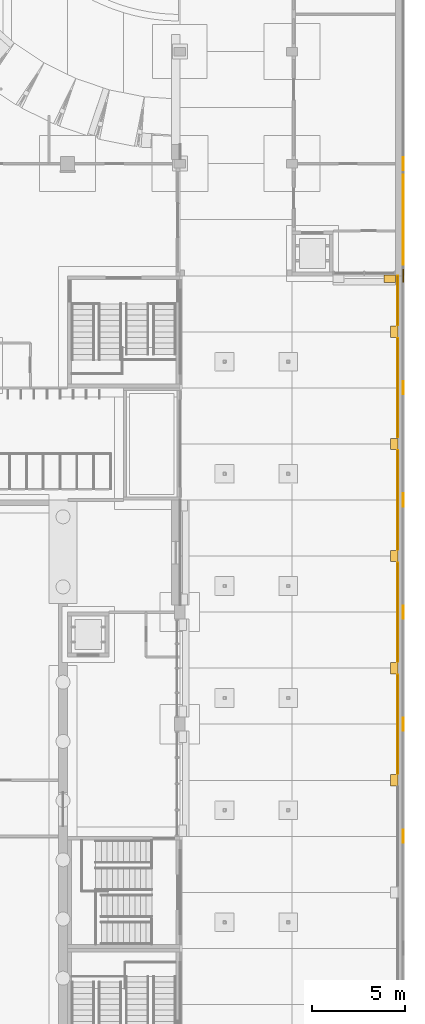
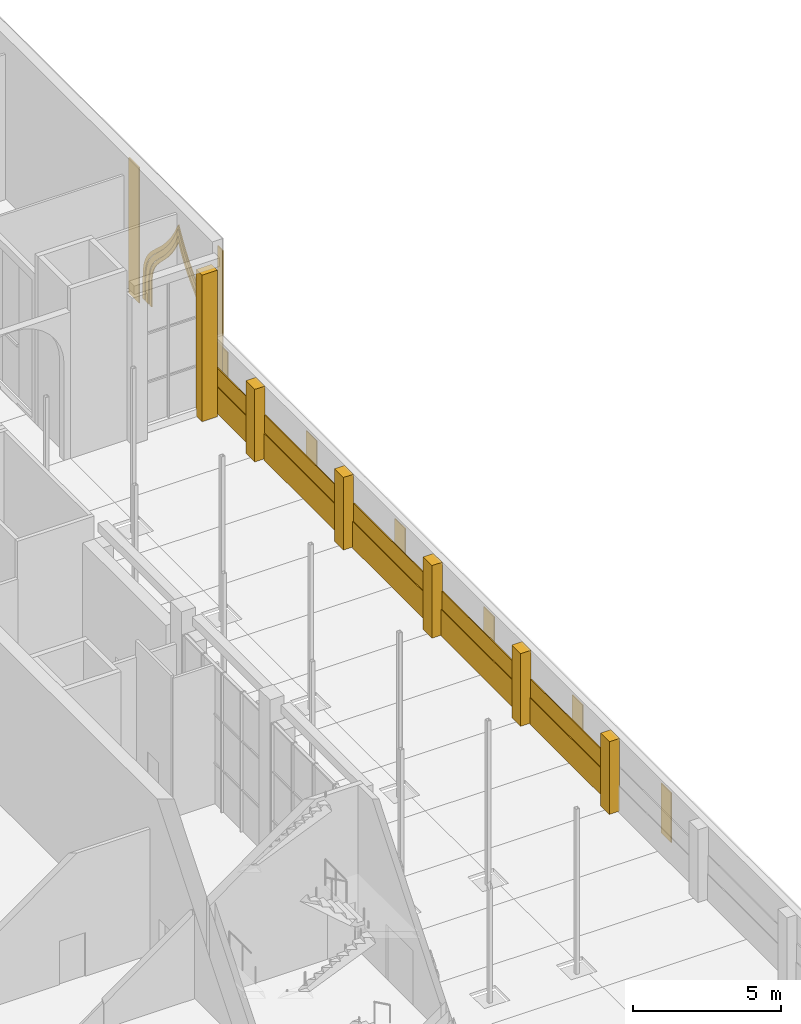
# One storey, part 92 of 95: 27 coverings.
"""IFC4 building model written with IfcOpenShell, lengths in metres."""

from ifc_helpers import new_model, si_unit, direction, frame, origin, origin_2d, place, context, subcontext, project, spatial, polyline, rectangle, outline, extrude, material, layer, layer_set, type_object, element, save


model = new_model("IFC4")

# Units and contexts
model_context = context("Model", 3, precision=1e-05, world=origin(), true_north=direction((0.0, 1.0)))
body_context = subcontext(model_context, "Body", "Model", "MODEL_VIEW")
ifc_project = project(units=[si_unit("LENGTHUNIT", "METRE"), si_unit("AREAUNIT", "SQUARE_METRE"), si_unit("VOLUMEUNIT", "CUBIC_METRE"), si_unit("PLANEANGLEUNIT", "RADIAN"), si_unit("MASSUNIT", "GRAM", prefix="KILO")], contexts=[model_context])

# Site, building, storey
site_placement = place(None, origin())
site = spatial("IfcSite", under=ifc_project, at=site_placement, CompositionType="ELEMENT")
building_placement = place(site_placement, origin())
building = spatial("IfcBuilding", under=site, at=building_placement, Name="Saffron Lane Theatres", CompositionType="ELEMENT")
storey_placement = place(building_placement, origin())
storey = spatial("IfcBuildingStorey", under=building, at=storey_placement, Name="L00", CompositionType="ELEMENT", Elevation=0.0)

# Coverings
ifc_material_1 = material(Name="Masonry sandstone", Category="masonry")
ifc_layer_1 = layer(ifc_material_1, 0.0400390625)
ifc_layer_set_1 = layer_set([ifc_layer_1], Name="Masonry sandstone")
covering_type_1 = type_object("IfcCoveringType", Name="EX-BANDING COURSE SANDSTONE 40", PredefinedType="CLADDING", material=ifc_layer_set_1)
for number, where, z_axis, x_axis, name in (
    (1, (65.669921875, 78.0, 1.10009765625), (0.0, 0.0, 1.0), (0.0, 1.0, 0.0), "Banding course L00"),
    (2, (65.669921875, 84.0, 1.10009765625), (0.0, 0.0, 1.0), (0.0, 1.0, 0.0), "Banding course L00"),
    (3, (65.669921875, 90.0, 1.10009765625), (0.0, 0.0, 1.0), (0.0, 1.0, 0.0), "Banding course L00"),
    (4, (65.669921875, 96.0, 1.10009765625), (0.0, 0.0, 1.0), (0.0, 1.0, 0.0), "Banding course L00"),
):
    element("IfcCovering", number, at=place(storey_placement, frame(where, z_axis=z_axis, x_axis=x_axis)), inside=storey, type_object=covering_type_1, Name=name, PredefinedType="CLADDING", context=body_context, shape_type="SweptSolid", body=[
        extrude(rectangle(XDim=5.300048828125, YDim=0.0400390625, at=origin_2d()), origin(), (0.0, 0.0, 1.0), 0.75),
    ])
covering_1_placement = place(storey_placement, frame((65.669921875, 100.675048828125, 1.10009765625), z_axis=(0.0, 0.0, 1.0), x_axis=(0.0, 1.0, 0.0)))
element("IfcCovering", 5, at=covering_1_placement, inside=storey, type_object=covering_type_1, Name="Banding course L00", PredefinedType="CLADDING", context=body_context, shape_type="SweptSolid", body=[
    extrude(rectangle(XDim=2.64990234375, YDim=0.0400390625, at=origin_2d()), origin(), (0.0, 0.0, 1.0), 0.75),
])
ifc_material_2 = material(Name="Masonry sandstone", Category="masonry")
ifc_layer_2 = layer(ifc_material_2, 0.39990234375)
ifc_layer_set_2 = layer_set([ifc_layer_2], Name="Masonry sandstone")
covering_type_2 = type_object("IfcCoveringType", Name="EX-BOUNDARY PILASTER SANDSTONE 400", PredefinedType="CLADDING", material=ifc_layer_set_2)
for number, where, z_axis, x_axis, name in (
    (6, (65.489990234375, 75.0, 0.0), (0.0, 0.0, 1.0), (0.0, 1.0, 0.0), "Boundary wall pilaster L00"),
    (7, (65.489990234375, 81.0, 0.0), (0.0, 0.0, 1.0), (0.0, 1.0, 0.0), "Boundary wall pilaster L00"),
    (8, (65.489990234375, 87.0, 0.0), (0.0, 0.0, 1.0), (0.0, 1.0, 0.0), "Boundary wall pilaster L00"),
    (9, (65.489990234375, 93.0, 0.0), (0.0, 0.0, 1.0), (0.0, 1.0, 0.0), "Boundary wall pilaster L00"),
    (10, (65.489990234375, 99.0, 0.0), (0.0, 0.0, 1.0), (0.0, 1.0, 0.0), "Boundary wall pilaster L00"),
):
    element("IfcCovering", number, at=place(storey_placement, frame(where, z_axis=z_axis, x_axis=x_axis)), inside=storey, type_object=covering_type_2, Name=name, PredefinedType="CLADDING", context=body_context, shape_type="SweptSolid", body=[
        extrude(rectangle(XDim=0.60009765625, YDim=0.39990234375, at=origin_2d()), origin(), (0.0, 0.0, 1.0), 3.0),
    ])
ifc_material_3 = material(Name="Face brick cladding, pale buff", Category="masonry")
ifc_layer_3 = layer(ifc_material_3, 0.0400390625)
ifc_layer_set_3 = layer_set([ifc_layer_3], Name="Face brick cladding, pale buff")
covering_type_3 = type_object("IfcCoveringType", Name="EX-FACE BRICK SKIN PALE BUFF 40", PredefinedType="CLADDING", material=ifc_layer_set_3)
covering_2_placement = place(storey_placement, frame((65.9599609375, 102.175048828125, 0.89990234375), z_axis=(0.0, 0.0, 1.0), x_axis=(0.0, 1.0, 0.0)))
element("IfcCovering", 11, at=covering_2_placement, inside=storey, type_object=covering_type_3, Name="Face brick cladding, pale buff L00", PredefinedType="CLADDING", context=body_context, shape_type="SweptSolid", body=[
    extrude(rectangle(XDim=0.35009765625, YDim=0.0400390625, at=origin_2d()), origin(), (0.0, 0.0, 1.0), 5.60009765625),
])
covering_3_placement = place(storey_placement, frame((65.9599609375, 108.0, 0.89990234375), z_axis=(0.0, 0.0, 1.0), x_axis=(0.0, 1.0, 0.0)))
element("IfcCovering", 12, at=covering_3_placement, inside=storey, type_object=covering_type_3, Name="Face brick cladding, pale buff L00", PredefinedType="CLADDING", context=body_context, shape_type="SweptSolid", body=[
    extrude(rectangle(XDim=0.699951171875, YDim=0.0400390625, at=origin_2d()), origin(), (0.0, 0.0, 1.0), 5.60009765625),
])
for number, where, z_axis, x_axis, name in (
    (13, (65.9599609375, 72.0, 0.4501953125), (0.0, 0.0, 1.0), (0.0, 1.0, 0.0), "Face brick cladding, pale buff L00"),
    (14, (65.9599609375, 78.0, 0.4501953125), (0.0, 0.0, 1.0), (0.0, 1.0, 0.0), "Face brick cladding, pale buff L00"),
    (15, (65.9599609375, 84.0, 0.4501953125), (0.0, 0.0, 1.0), (0.0, 1.0, 0.0), "Face brick cladding, pale buff L00"),
    (16, (65.9599609375, 90.0, 0.4501953125), (0.0, 0.0, 1.0), (0.0, 1.0, 0.0), "Face brick cladding, pale buff L00"),
    (17, (65.9599609375, 96.0, 0.4501953125), (0.0, 0.0, 1.0), (0.0, 1.0, 0.0), "Face brick cladding, pale buff L00"),
):
    element("IfcCovering", number, at=place(storey_placement, frame(where, z_axis=z_axis, x_axis=x_axis)), inside=storey, type_object=covering_type_3, Name=name, PredefinedType="CLADDING", context=body_context, shape_type="SweptSolid", body=[
        extrude(rectangle(XDim=0.699951171875, YDim=0.0400390625, at=origin_2d()), origin(), (0.0, 0.0, 1.0), 2.050048828125),
    ])
covering_4_placement = place(storey_placement, frame((65.9599609375, 101.824951171875, 0.4501953125), z_axis=(0.0, 0.0, 1.0), x_axis=(0.0, 1.0, 0.0)))
element("IfcCovering", 18, at=covering_4_placement, inside=storey, type_object=covering_type_3, Name="Face brick cladding, pale buff L00", PredefinedType="CLADDING", context=body_context, shape_type="SweptSolid", body=[
    extrude(rectangle(XDim=0.35009765625, YDim=0.0400390625, at=origin_2d()), origin(), (0.0, 0.0, 1.0), 2.050048828125),
])
ifc_material_4 = material(Name="Face brick cladding, pale buff", Category="masonry")
ifc_layer_4 = layer(ifc_material_4, 0.0400390625)
ifc_layer_set_4 = layer_set([ifc_layer_4], Name="Face brick cladding, pale buff")
covering_type_4 = type_object("IfcCoveringType", Name="EX-NICHE FRAME RING FACE BRICK PALE BUFF", PredefinedType="CLADDING", material=ifc_layer_set_4)
covering_5_placement = place(storey_placement, frame((65.93994140625, 103.06005859375, 2.15087890625), z_axis=(-1.0, 0.0, 0.0), x_axis=(0.0, 0.049137358924, 0.998792030384)))
element("IfcCovering", 19, at=covering_5_placement, inside=storey, type_object=covering_type_4, Name="Court wall niche ring", PredefinedType="CLADDING", context=body_context, shape_type="SweptSolid", body=[
    extrude(outline(polyline([(0.0, 0.0), (0.2434581525511307, 1.734723475976807e-18), (0.4610250809328312, 0.025228482865775993), (0.6554949729909108, 0.07285918867513211), (0.831185072962029, 0.14121310750547486), (0.9913772601130814, 0.227439986583571), (1.1415840143824045, 0.32931314243814785), (1.285586902883498, 0.4442021751554779), (1.4289223984057362, 0.5703680926853739), (1.57562791019868, 0.7054123443991328), (1.7306682446519874, 0.8459130111238047), (1.900199526656824, 0.992789410774137), (2.088650885479687, 1.141668234186046), (2.2994481574936954, 1.292625377112813), (2.53905521262832, 1.4428984789600046), (2.8117892951202217, 1.5908085298050278), (3.2277655948053288, 1.7834919337608668), (2.832711061224793, 2.0160754489918227), (2.575812260417544, 2.190041736063411), (2.3521124655206838, 2.363108046396087), (2.1571504751913277, 2.5340272413859313), (1.9842224909896318, 2.700684767416518), (1.8299266693935141, 2.8634924201556524), (1.6894260026688424, 3.01853275460896), (1.5566843301796374, 3.1673249099671215), (1.4264249384727563, 3.3069508169289725), (1.2943944826393017, 3.4354198033334438), (1.154912532783675, 3.5515447127042084), (1.004005578984078, 3.6540544135863064), (0.8358252413876509, 3.738347909555811), (0.6470176621743866, 3.805812379122698), (0.43292969719310215, 3.851299152314359), (0.19064719434280172, 3.875196031947562), (-0.7091434775604517, 3.9194628421114768), (-0.7150337224901218, 3.7997345982349193), (0.18183080088661707, 3.7556117451772284), (0.4141156296046592, 3.732206718990291), (0.6141445183530868, 3.689122658452513), (0.788377419861202, 3.628486113605838), (0.9426666311820339, 3.5500091702378174), (1.0822528764921697, 3.4558783605179877), (1.213987828537848, 3.3462454759529123), (1.3401620701181043, 3.2229533143972655), (1.4676512668302135, 3.0866413587786963), (1.6004409250214928, 2.938824586262706), (1.7427963860263584, 2.781737514720906), (1.89894700190267, 2.6168831248932793), (2.075816423949777, 2.4458762825496456), (2.2764387685238634, 2.2707676419786673), (2.505982781248404, 2.0922806610866234), (2.7685419363003834, 1.914124928433901), (2.970020678761497, 1.7961721555341075), (2.7579370961418737, 1.698565320313989), (2.4791587737886442, 1.5470416523127277), (2.2332516366566293, 1.392923084024274), (2.0163621390792184, 1.2373769410990973), (1.8235614639433089, 1.0845566798417767), (1.6519834448499797, 0.9358254859112508), (1.49489637330818, 0.7934700249063853), (1.3482388472173108, 0.659401156034798), (1.20798545375333, 0.5362612756357352), (1.0703186365261823, 0.4259492464912962), (0.9284587013427412, 0.3297763513581751), (0.7803070082122705, 0.24980132375038333), (0.6190598700906065, 0.1868477550035296), (0.4397164913115353, 0.14360602715893486), (0.2364245748220277, 0.12036405442904742), (0.0029640964031553557, 0.11987220098278169), (-0.8939004269735834, 0.16399505404047265), (-0.8997906719032535, 0.04426681016391508), (0.0, 0.0)])), origin(), (0.0, 0.0, -1.0), 0.0400390625),
])
covering_6_placement = place(storey_placement, frame((65.93994140625, 102.800048828125, 2.153076171875), z_axis=(-1.0, 0.0, 0.0), x_axis=(0.0, 0.052850824381, 0.998602418564)))
element("IfcCovering", 20, at=covering_6_placement, inside=storey, type_object=covering_type_4, Name="Court wall niche ring", PredefinedType="CLADDING", context=body_context, shape_type="SweptSolid", body=[
    extrude(outline(polyline([(0.0, 0.0), (0.2633074467244505, 0.0), (0.5011775819661587, 0.027505871452212175), (0.7152524864888075, 0.08120829603058993), (0.9086112315010562, 0.15923293837212052), (1.0849739652342758, 0.25796015808373945), (1.24951072939811, 0.37344909715401087), (1.4064937862275997, 0.5032733062162519), (1.5611318865322767, 0.6442233255148111), (1.7204048922183166, 0.7942183711539379), (1.8878923763648647, 0.9516021011226223), (2.0695861001704214, 1.1141015442397035), (2.2717345272853784, 1.2796746257093192), (2.4978785216889916, 1.4459336052646752), (2.752894071753157, 1.6126204222398495), (3.0451722237624352, 1.7766016768649358), (3.545308055566688, 2.0153953976478385), (3.073236321181458, 2.3068654123085715), (2.7998353068843773, 2.499562707087641), (2.5638388278986666, 2.692236233121165), (2.35650745604077, 2.8814368058769912), (2.1729652029387934, 3.067422486021041), (2.009438950014148, 3.2481926242854025), (1.8594995911502994, 3.4223761036056124), (1.7169489166160081, 3.5883451044653136), (1.5780525169325759, 3.74483037585238), (1.4356498877276818, 3.8904995098022344), (1.2842226053926875, 4.022710780024254), (1.1192661530932222, 4.139502246350416), (0.9352233981207594, 4.237500784234314), (0.728012907311637, 4.313499650348356), (0.49437496699105044, 4.365959988195231), (0.2325384660623556, 4.393753121915035), (-0.669275583319717, 4.441481442077317), (-0.6798431675892249, 4.241809718248197), (0.21587589632797843, 4.194403973918317), (0.4619170471811973, 4.168424735037138), (0.6716252935936389, 4.121142588184094), (0.8534188461304864, 4.0545568244130665), (1.014149894578986, 3.968793757628952), (1.1607222408595677, 3.8649548994110297), (1.297666207873195, 3.7454897887645124), (1.4317178581074486, 3.608330544826945), (1.5667277283406915, 3.456940613377808), (1.7073925226927051, 3.292293833877449), (1.8601542503133226, 3.116005122808928), (2.0275541296548605, 2.929895845188042), (2.2176001906450886, 2.737453894646832), (2.432615658384322, 2.5410011380715813), (2.6794527226598053, 2.340663889367188), (2.9621799136019056, 2.1394050924426464), (3.127923450932433, 2.0374853906507657), (2.9523478022302756, 1.9536299354734281), (2.6499563885449153, 1.7833384184595322), (2.3833518772598032, 1.6101749578767302), (2.1488012171102713, 1.4375153946994919), (1.9395038304422583, 1.2662086126972976), (1.7533945528213721, 1.09880873335576), (1.5829298635185025, 0.9406046421122496), (1.4256201562145168, 0.7907501716253487), (1.275384706691873, 0.6544567891326514), (1.1276558411637512, 0.5331886493597573), (0.9788152774511176, 0.42787069606189243), (0.8221011469997994, 0.3400832112643215), (0.6532153815081632, 0.2717650454965378), (0.4654090154553319, 0.22474028020240072), (0.25188147118724413, 0.1998577991513908), (0.004472598804638406, 0.19999429966152327), (-0.8912464651125649, 0.2474000439914031), (-0.9018140493820727, 0.047728320162282394), (0.0, 0.0)])), origin(), (0.0, 0.0, -1.0), 0.0400390625),
])
covering_7_placement = place(storey_placement, frame((65.93994140625, 102.60009765625, 2.152099609375), z_axis=(-1.0, 0.0, 0.0), x_axis=(0.0, 0.053339022878, 0.998576461088)))
element("IfcCovering", 21, at=covering_7_placement, inside=storey, type_object=covering_type_4, Name="Court wall niche ring", PredefinedType="CLADDING", context=body_context, shape_type="SweptSolid", body=[
    extrude(outline(polyline([(0.0, 0.0), (0.279206054433033, -1.734723475976807e-18), (0.5302189974084848, 0.030600087807743755), (0.7546412027165392, 0.08975876321599356), (0.957718918144801, 0.17499539960045762), (1.143645085821301, 0.28241870073845177), (1.3166126478740696, 0.4081373704072918), (1.483434788357691, 0.5515429932989544), (1.6489446730874813, 0.7069986549543668), (1.820160212532198, 0.8731515385991627), (1.9996980194744525, 1.048639434380536), (2.1966399198910627, 1.229554394709478), (2.4138853863131065, 1.4152525667547606), (2.6580522694594353, 1.6014686389885575), (2.935479189444375, 1.7878640336289293), (3.2496146869296125, 1.9703427280390193), (3.720787085433957, 2.204577498130685), (3.2772478428247567, 2.487671646600571), (2.9843385678225935, 2.7025756747424743), (2.728346225878845, 2.9174636919552195), (2.5054576541051206, 3.1296055145986967), (2.3091779657185065, 3.336414203479002), (2.132628865552507, 3.537279208497558), (1.972806703296986, 3.73089403783503), (1.8202650307484223, 3.91434043280346), (1.6723091017899112, 4.087517844767732), (1.52166056150505, 4.2469032288758095), (1.3630695329622904, 4.390332120984516), (1.189696787662284, 4.517925350239234), (0.9968024501369451, 4.623334903447199), (0.7799591782553628, 4.706063801367329), (0.5336342353375227, 4.763229222834873), (0.25601689203512473, 4.792971978755942), (-0.6447985434431664, 4.8410890904583725), (-0.6522602768681983, 4.701395654861875), (0.24441067622764878, 4.653499920939942), (0.5103780405162042, 4.625357404018502), (0.7388185620849336, 4.572081143983088), (0.9381774723673122, 4.4961539022485475), (1.1141401455679993, 4.398738926188011), (1.274163618572807, 4.282127273024531), (1.4241379920005675, 4.146737788664895), (1.5679899995971691, 3.992849703713629), (1.7132417893603356, 3.8239730408003876), (1.8648603784731472, 3.6415539070467675), (2.026567774267319, 3.4466159345236367), (2.2048718857481466, 3.2419898555062194), (2.4069729344977393, 3.029735956358632), (2.635747977746354, 2.8133678888544744), (2.8973178869717606, 2.59304768359683), (3.197946778097935, 2.371619095083306), (3.4372557318585164, 2.2197223427612474), (3.1831274890269294, 2.0941825685408717), (2.8606212642985676, 1.9060387804363907), (2.577069843691915, 1.7148362644254675), (2.3265476890649355, 1.5240698861248223), (2.102986017829387, 1.3345527872566518), (1.903898439426481, 1.1500851084869645), (1.7223451767217532, 0.9734824250780479), (1.5521568984918466, 0.808252624869004), (1.3897418196288687, 0.6558100066021677), (1.2303152340630905, 0.5181215662944257), (1.0667717049130208, 0.3994786599183697), (0.8952365873223002, 0.3005772291947563), (0.7098979140063897, 0.22246118670472007), (0.5035851369718871, 0.16820292301425147), (0.2707691486827202, 0.13956470772606377), (0.003317251042587765, 0.13991481337699654), (-0.8933537020532594, 0.18781054729892882), (-0.9008154354782912, 0.04811711170243062), (0.0, 0.0)])), origin(), (0.0, 0.0, -1.0), 0.0400390625),
])
ifc_material_5 = material(Name="Masonry sandstone", Category="masonry")
ifc_layer_5 = layer(ifc_material_5, 0.39990234375)
ifc_layer_set_5 = layer_set([ifc_layer_5], Name="Masonry sandstone")
covering_type_5 = type_object("IfcCoveringType", Name="EX-PILASTER PIER SANDSTONE 400", PredefinedType="CLADDING", material=ifc_layer_set_5)
covering_8_placement = place(storey_placement, frame((65.239990234375, 101.85009765625, 0.0), z_axis=(0.0, 0.0, 1.0), x_axis=(-1.0, 0.0, 0.0)))
element("IfcCovering", 22, at=covering_8_placement, inside=storey, type_object=covering_type_5, Name="Pilaster pier L00", PredefinedType="CLADDING", context=body_context, shape_type="SweptSolid", body=[
    extrude(rectangle(XDim=0.60009765625, YDim=0.39990234375, at=origin_2d()), origin(), (0.0, 0.0, 1.0), 6.050048828125),
])
ifc_material_6 = material(Name="Masonry sandstone", Category="masonry")
ifc_layer_6 = layer(ifc_material_6, 0.070068359375)
ifc_layer_set_6 = layer_set([ifc_layer_6], Name="Masonry sandstone")
covering_type_6 = type_object("IfcCoveringType", Name="EX-PLINTH COURSE SANDSTONE 70", PredefinedType="CLADDING", material=ifc_layer_set_6)
for number, where, z_axis, x_axis, name in (
    (23, (65.655029296875, 78.0, 0.0), (0.0, 0.0, 1.0), (0.0, 1.0, 0.0), "Plinth course L00"),
    (24, (65.655029296875, 84.0, 0.0), (0.0, 0.0, 1.0), (0.0, 1.0, 0.0), "Plinth course L00"),
    (25, (65.655029296875, 90.0, 0.0), (0.0, 0.0, 1.0), (0.0, 1.0, 0.0), "Plinth course L00"),
    (26, (65.655029296875, 96.0, 0.0), (0.0, 0.0, 1.0), (0.0, 1.0, 0.0), "Plinth course L00"),
):
    element("IfcCovering", number, at=place(storey_placement, frame(where, z_axis=z_axis, x_axis=x_axis)), inside=storey, type_object=covering_type_6, Name=name, PredefinedType="CLADDING", context=body_context, shape_type="SweptSolid", body=[
        extrude(rectangle(XDim=5.300048828125, YDim=0.070068359375, at=origin_2d()), origin(), (0.0, 0.0, 1.0), 1.10009765625),
    ])
covering_9_placement = place(storey_placement, frame((65.655029296875, 100.675048828125, 0.0), z_axis=(0.0, 0.0, 1.0), x_axis=(0.0, 1.0, 0.0)))
element("IfcCovering", 27, at=covering_9_placement, inside=storey, type_object=covering_type_6, Name="Plinth course L00", PredefinedType="CLADDING", context=body_context, shape_type="SweptSolid", body=[
    extrude(rectangle(XDim=2.64990234375, YDim=0.070068359375, at=origin_2d()), origin(), (0.0, 0.0, 1.0), 1.10009765625),
])

save(model, "model.ifc")
